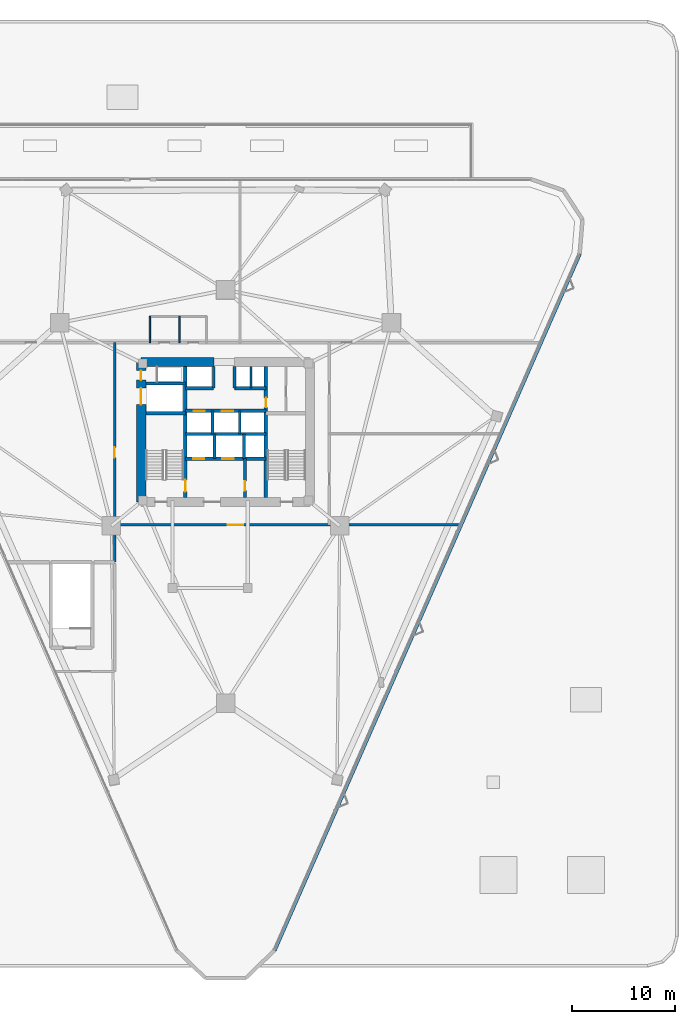
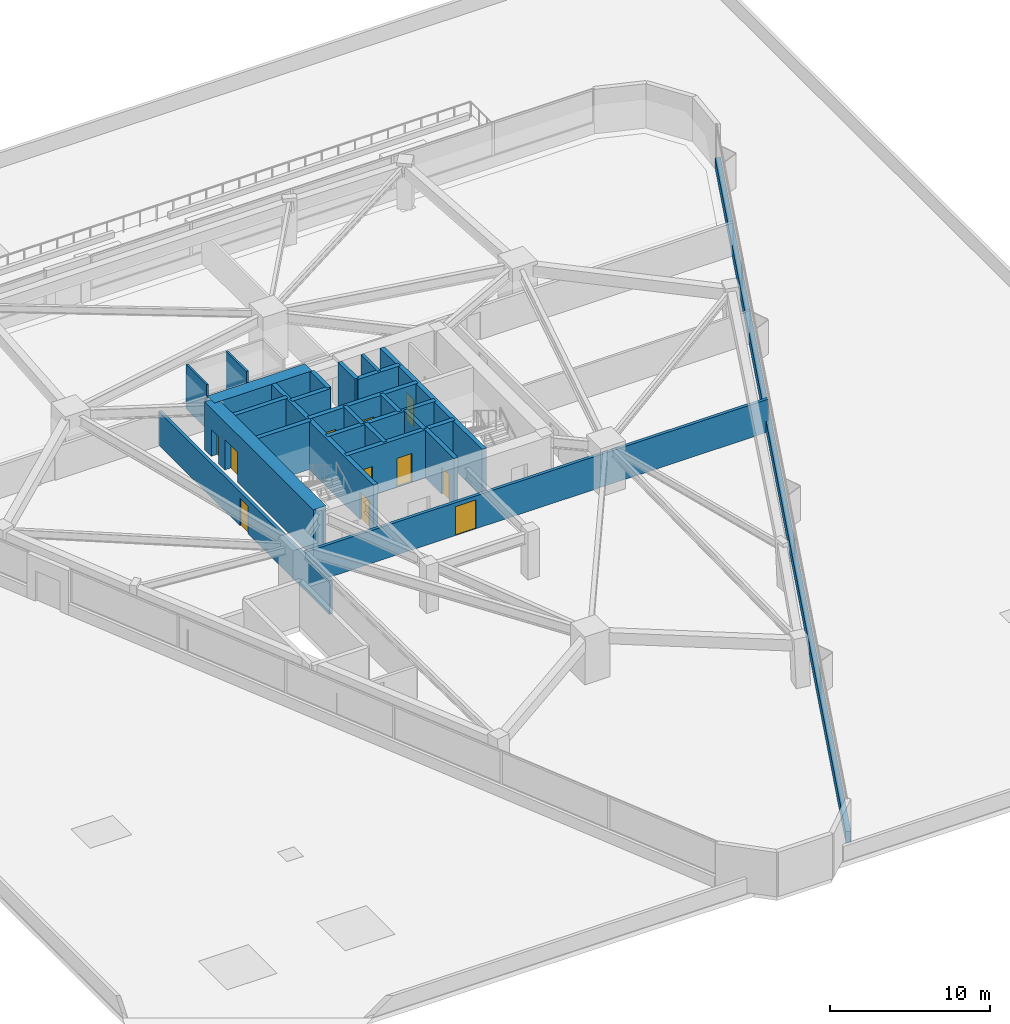
# One storey, part 17 of 21: 24 walls, 11 doors, 11 openings.
"""IFC4 building model written with IfcOpenShell, lengths in metres."""

from ifc_helpers import new_model, si_unit, direction, frame, frame_2d, origin, place, context, subcontext, project, spatial, rectangle, extrude, material, layer, layer_set, type_object, element, fill, save


model = new_model("IFC4")

# Units and contexts
model_context = context("Model", 3, precision=1e-05, world=origin(), true_north=direction((0.0, 1.0)))
body_context = subcontext(model_context, "Body", "Model", "MODEL_VIEW")
ifc_project = project(units=[si_unit("LENGTHUNIT", "METRE"), si_unit("AREAUNIT", "SQUARE_METRE"), si_unit("VOLUMEUNIT", "CUBIC_METRE"), si_unit("PLANEANGLEUNIT", "RADIAN"), si_unit("MASSUNIT", "GRAM", prefix="KILO")], contexts=[model_context])

# Site, building, storey
site_placement = place(None, origin())
site = spatial("IfcSite", under=ifc_project, at=site_placement, CompositionType="ELEMENT")
building_placement = place(site_placement, origin())
building = spatial("IfcBuilding", under=site, at=building_placement, Name="Talyreon Biosciences Tower", CompositionType="ELEMENT")
storey_placement = place(building_placement, frame((0.0, 0.0, 22.800048828125)))
storey = spatial("IfcBuildingStorey", under=building, at=storey_placement, Name="L05", CompositionType="ELEMENT", Elevation=22.800048828125)

# Walls
ifc_material_1 = material(Name="Concrete C50/60", Category="concrete")
ifc_layer_1 = layer(ifc_material_1, 0.219970703125)
ifc_layer_set_1 = layer_set([ifc_layer_1], Name="Concrete C50/60")
wall_type_1 = type_object("IfcWallType", Name="CoreShearWall_220", PredefinedType="SHEAR", material=ifc_layer_set_1)
wall_1_placement = place(storey_placement, frame((68.4599609375, 72.25, 0.0), z_axis=(0.0, 0.0, 1.0), x_axis=(0.0, 1.0, 0.0)))
element("IfcWall", 1, at=wall_1_placement, inside=storey, type_object=wall_type_1, Name="L05 Core Shaft Wall SWPHD", PredefinedType="SHEAR", context=body_context, shape_type="SweptSolid", body=[
    extrude(rectangle(XDim=2.10009765625, YDim=0.219970703125, at=frame_2d((1.050048828125, 0.0))), origin(), (0.0, 0.0, 1.0), 3.64990234375),
])
ifc_layer_2 = layer(ifc_material_1, 0.280029296875)
ifc_layer_set_2 = layer_set([ifc_layer_2], Name="Concrete C50/60")
wall_type_2 = type_object("IfcWallType", Name="CoreShearWall_280", PredefinedType="SHEAR", material=ifc_layer_set_2)
wall_2_placement = place(storey_placement, frame((64.919921875, 65.39990234375, 0.0), z_axis=(0.0, 0.0, 1.0), x_axis=(0.0, 1.0, 0.0)))
element("IfcWall", 2, at=wall_2_placement, inside=storey, type_object=wall_type_2, Name="L05 Core Shaft Wall SWSHD1", PredefinedType="SHEAR", context=body_context, shape_type="SweptSolid", body=[
    extrude(rectangle(XDim=2.400146484375, YDim=0.280029296875, at=frame_2d((1.2001953125, 0.0))), origin(), (0.0, 0.0, 1.0), 3.64990234375),
])
for number, where, z_axis, x_axis, name in (
    (3, (64.85009765625, 72.25, 0.0), (0.0, 0.0, 1.0), (0.0, 1.0, 0.0), "L05 Core Shaft Wall SWTHW"),
    (4, (66.85009765625, 72.25, 0.0), (0.0, 0.0, 1.0), (0.0, 1.0, 0.0), "L05 Core Shaft Wall SWTHE"),
):
    element("IfcWall", number, at=place(storey_placement, frame(where, z_axis=z_axis, x_axis=x_axis)), inside=storey, type_object=wall_type_2, Name=name, PredefinedType="SHEAR", context=body_context, shape_type="SweptSolid", body=[
        extrude(rectangle(XDim=2.10009765625, YDim=0.280029296875, at=frame_2d((1.050048828125, 0.0))), origin(), (0.0, 0.0, 1.0), 3.64990234375),
    ])

# Wall, opening, door
wall_3_placement = place(storey_placement, frame((67.8798828125, 61.64990234375, 0.0), z_axis=(0.0, 0.0, 1.0), x_axis=(0.0, 1.0, 0.0)))
wall_3 = element("IfcWall", 5, at=wall_3_placement, inside=storey, type_object=wall_type_2, Name="L05 Core Shaft Wall SWFFE", PredefinedType="SHEAR", context=body_context, shape_type="SweptSolid", body=[
    extrude(rectangle(XDim=3.75, YDim=0.280029296875, at=frame_2d((1.875, 0.0))), origin(), (0.0, 0.0, 1.0), 3.64990234375),
])
opening_1_placement = place(wall_3_placement, frame((0.64990234375, 0.0, 0.0)))
opening_1 = element("IfcOpeningElement", 6, at=opening_1_placement, cuts=wall_3, Name="Opening DR-L05-RSE", PredefinedType="OPENING", context=body_context, shape_type="SweptSolid", body=[
    extrude(rectangle(XDim=0.919921875, YDim=2.050048828125, at=frame_2d((0.4599609375, 1.02490234375))), frame((0.0, 0.14990234375, 0.0), z_axis=(0.0, -1.0, 0.0), x_axis=(1.0, 0.0, 0.0)), (0.0, 0.0, 1.0), 0.300048828125),
])
ifc_material_2 = material(Name="Painted steel fire-rated riser door", Category="steel")
door_type_1 = type_object("IfcDoorType", Name="RiserPlantAccessDoor_920x2050", OperationType="NOTDEFINED", PredefinedType="DOOR", material=ifc_material_2)
door_1_placement = place(opening_1_placement, origin())
door_1 = element("IfcDoor", 7, at=door_1_placement, inside=storey, type_object=door_type_1, Name="L05 Core Door DR-L05-RSE", OperationType="SINGLE_SWING_RIGHT", OverallHeight=2.050048828125, OverallWidth=0.919921875, PredefinedType="DOOR", context=body_context, shape_type="SweptSolid", body=[
    extrude(rectangle(XDim=0.919921875, YDim=2.050048828125, at=frame_2d((0.4599609375, 1.02490234375))), frame((0.0, 0.02490234375, 0.0), z_axis=(0.0, -1.0, 0.0), x_axis=(1.0, 0.0, 0.0)), (0.0, 0.0, 1.0), 0.050048828125),
])
fill(opening_1, door_1)

# Walls
wall_4_placement = place(storey_placement, frame((67.780029296875, 65.39990234375, 0.0), z_axis=(0.0, 0.0, 1.0), x_axis=(0.0, 1.0, 0.0)))
element("IfcWall", 8, at=wall_4_placement, inside=storey, type_object=wall_type_2, Name="L05 Core Shaft Wall SWSHD2", PredefinedType="SHEAR", context=body_context, shape_type="SweptSolid", body=[
    extrude(rectangle(XDim=2.400146484375, YDim=0.280029296875, at=frame_2d((1.2001953125, 0.0))), origin(), (0.0, 0.0, 1.0), 3.64990234375),
])
for number, where, z_axis, x_axis, name in (
    (9, (64.719970703125, 67.800048828125, 0.0), (0.0, 0.0, 1.0), (0.0, 1.0, 0.0), "L05 Core Shaft Wall SWPLD"),
    (10, (67.3798828125, 67.800048828125, 0.0), (0.0, 0.0, 1.0), (0.0, 1.0, 0.0), "L05 Core Shaft Wall SWPMD"),
):
    element("IfcWall", number, at=place(storey_placement, frame(where, z_axis=z_axis, x_axis=x_axis)), inside=storey, type_object=wall_type_2, Name=name, PredefinedType="SHEAR", context=body_context, shape_type="SweptSolid", body=[
        extrude(rectangle(XDim=2.25, YDim=0.280029296875, at=frame_2d((1.125, 0.0))), origin(), (0.0, 0.0, 1.0), 3.64990234375),
    ])

# Wall, opening, door
ifc_layer_3 = layer(ifc_material_1, 0.320068359375)
ifc_layer_set_3 = layer_set([ifc_layer_3], Name="Concrete C50/60")
wall_type_3 = type_object("IfcWallType", Name="CoreShearWall_320", PredefinedType="SHEAR", material=ifc_layer_set_3)
wall_5_placement = place(storey_placement, frame((62.090087890625, 61.64990234375, 0.0), z_axis=(0.0, 0.0, 1.0), x_axis=(0.0, 1.0, 0.0)))
wall_5 = element("IfcWall", 11, at=wall_5_placement, inside=storey, type_object=wall_type_3, Name="L05 Core Shaft Wall SW1E", PredefinedType="SHEAR", context=body_context, shape_type="SweptSolid", body=[
    extrude(rectangle(XDim=12.7001953125, YDim=0.320068359375, at=frame_2d((6.35009765625, 0.0))), origin(), (0.0, 0.0, 1.0), 3.64990234375),
])
opening_2_placement = place(wall_5_placement, frame((0.550048828125, 0.0, 0.0)))
opening_2 = element("IfcOpeningElement", 12, at=opening_2_placement, cuts=wall_5, Name="Opening DR-L05-FF-ST1", PredefinedType="OPENING", context=body_context, shape_type="SweptSolid", body=[
    extrude(rectangle(XDim=1.14990234375, YDim=2.14990234375, at=frame_2d((0.574951171875, 1.074951171875))), frame((0.0, 0.169921875, 0.0), z_axis=(0.0, -1.0, 0.0), x_axis=(1.0, 0.0, 0.0)), (0.0, 0.0, 1.0), 0.340087890625),
])
ifc_material_3 = material(Name="Painted steel fire door", Category="steel")
door_type_2 = type_object("IfcDoorType", Name="StairShaftFireDoor_1150x2150", OperationType="NOTDEFINED", PredefinedType="DOOR", material=ifc_material_3)
door_2_placement = place(opening_2_placement, origin())
door_2 = element("IfcDoor", 13, at=door_2_placement, inside=storey, type_object=door_type_2, Name="L05 Core Door DR-L05-FF-ST1", OperationType="SINGLE_SWING_LEFT", OverallHeight=2.14990234375, OverallWidth=1.14990234375, PredefinedType="DOOR", context=body_context, shape_type="SweptSolid", body=[
    extrude(rectangle(XDim=1.14990234375, YDim=2.14990234375, at=frame_2d((0.574951171875, 1.074951171875))), frame((0.0, 0.02490234375, 0.0), z_axis=(0.0, -1.0, 0.0), x_axis=(1.0, 0.0, 0.0)), (0.0, 0.0, 1.0), 0.050048828125),
])
fill(opening_2, door_2)

wall_6_placement = place(storey_placement, frame((69.909912109375, 61.64990234375, 0.0), z_axis=(0.0, 0.0, 1.0), x_axis=(0.0, 1.0, 0.0)))
wall_6 = element("IfcWall", 14, at=wall_6_placement, inside=storey, type_object=wall_type_3, Name="L05 Core Shaft Wall SW2W", PredefinedType="SHEAR", context=body_context, shape_type="SweptSolid", body=[
    extrude(rectangle(XDim=12.7001953125, YDim=0.320068359375, at=frame_2d((6.35009765625, 0.0))), origin(), (0.0, 0.0, 1.0), 3.64990234375),
])
opening_3_placement = place(wall_6_placement, frame((8.75, 0.0, 0.0)))
opening_3 = element("IfcOpeningElement", 15, at=opening_3_placement, cuts=wall_6, Name="Opening DR-L05-CSRV", PredefinedType="OPENING", context=body_context, shape_type="SweptSolid", body=[
    extrude(rectangle(XDim=0.919921875, YDim=2.050048828125, at=frame_2d((0.4599609375, 1.02490234375))), frame((0.0, 0.169921875, 0.0), z_axis=(0.0, -1.0, 0.0), x_axis=(1.0, 0.0, 0.0)), (0.0, 0.0, 1.0), 0.340087890625),
])
door_3_placement = place(opening_3_placement, origin())
door_3 = element("IfcDoor", 16, at=door_3_placement, inside=storey, type_object=door_type_1, Name="L05 Core Door DR-L05-CSRV", OperationType="SINGLE_SWING_RIGHT", OverallHeight=2.050048828125, OverallWidth=0.919921875, PredefinedType="DOOR", context=body_context, shape_type="SweptSolid", body=[
    extrude(rectangle(XDim=0.919921875, YDim=2.050048828125, at=frame_2d((0.4599609375, 1.02490234375))), frame((0.0, 0.02490234375, 0.0), z_axis=(0.0, -1.0, 0.0), x_axis=(1.0, 0.0, 0.0)), (0.0, 0.0, 1.0), 0.050048828125),
])
fill(opening_3, door_3)

# Walls
for number, where, z_axis, x_axis, name in (
    (17, (58.25, 69.81005859375, 0.0), (0.0, 0.0, 1.0), (1.0, 0.0, 0.0), "L05 Core Shaft Wall SW1N"),
    (18, (58.25, 72.699951171875, 0.0), (0.0, 0.0, 1.0), (1.0, 0.0, 0.0), "L05 Core Shaft Wall SWGLN"),
):
    element("IfcWall", number, at=place(storey_placement, frame(where, z_axis=z_axis, x_axis=x_axis)), inside=storey, type_object=wall_type_3, Name=name, PredefinedType="SHEAR", context=body_context, shape_type="SweptSolid", body=[
        extrude(rectangle(XDim=3.840087890625, YDim=0.320068359375, at=frame_2d((1.919921875, 0.0))), origin(), (0.0, 0.0, 1.0), 3.64990234375),
    ])
wall_7_placement = place(storey_placement, frame((62.090087890625, 67.800048828125, 0.0), z_axis=(0.0, 0.0, 1.0), x_axis=(1.0, 0.0, 0.0)))
element("IfcWall", 19, at=wall_7_placement, inside=storey, type_object=wall_type_3, Name="L05 Core Shaft Wall SWSHM", PredefinedType="SHEAR", context=body_context, shape_type="SweptSolid", body=[
    extrude(rectangle(XDim=7.81982421875, YDim=0.320068359375, at=frame_2d((3.909912109375, 0.0))), origin(), (0.0, 0.0, 1.0), 3.64990234375),
])

# Wall, openings, doors
wall_8_placement = place(storey_placement, frame((62.090087890625, 70.050048828125, 0.0), z_axis=(0.0, 0.0, 1.0), x_axis=(1.0, 0.0, 0.0)))
wall_8 = element("IfcWall", 20, at=wall_8_placement, inside=storey, type_object=wall_type_3, Name="L05 Core Shaft Wall SWSPN", PredefinedType="SHEAR", context=body_context, shape_type="SweptSolid", body=[
    extrude(rectangle(XDim=7.81982421875, YDim=0.320068359375, at=frame_2d((3.909912109375, 0.0))), origin(), (0.0, 0.0, 1.0), 3.64990234375),
])
opening_4_placement = place(wall_8_placement, frame((0.800048828125, 0.0, 0.0)))
opening_4 = element("IfcOpeningElement", 21, at=opening_4_placement, cuts=wall_8, Name="Opening LD-L05-PL1", PredefinedType="OPENING", context=body_context, shape_type="SweptSolid", body=[
    extrude(rectangle(XDim=1.10009765625, YDim=2.199951171875, at=frame_2d((0.550048828125, 1.10009765625))), frame((0.0, 0.169921875, 0.0), z_axis=(0.0, -1.0, 0.0), x_axis=(1.0, 0.0, 0.0)), (0.0, 0.0, 1.0), 0.340087890625),
])
opening_5_placement = place(wall_8_placement, frame((3.550048828125, 0.0, 0.0)))
opening_5 = element("IfcOpeningElement", 22, at=opening_5_placement, cuts=wall_8, Name="Opening LD-L05-PL2", PredefinedType="OPENING", context=body_context, shape_type="SweptSolid", body=[
    extrude(rectangle(XDim=1.10009765625, YDim=2.199951171875, at=frame_2d((0.550048828125, 1.10009765625))), frame((0.0, 0.169921875, 0.0), z_axis=(0.0, -1.0, 0.0), x_axis=(1.0, 0.0, 0.0)), (0.0, 0.0, 1.0), 0.340087890625),
])
ifc_material_4 = material(Name="Brushed stainless-steel lift landing door", Category="steel")
door_type_3 = type_object("IfcDoorType", Name="LiftSlidingLandingDoor_1100x2200", OperationType="SLIDING_TO_LEFT", PredefinedType="DOOR", material=ifc_material_4)
door_4_placement = place(opening_4_placement, origin())
door_4 = element("IfcDoor", 23, at=door_4_placement, inside=storey, type_object=door_type_3, Name="L05 Core Door LD-L05-PL1", OperationType="SLIDING_TO_LEFT", OverallHeight=2.199951171875, OverallWidth=1.10009765625, PredefinedType="DOOR", context=body_context, shape_type="SweptSolid", body=[
    extrude(rectangle(XDim=1.10009765625, YDim=2.199951171875, at=frame_2d((0.550048828125, 1.10009765625))), frame((0.0, 0.02490234375, 0.0), z_axis=(0.0, -1.0, 0.0), x_axis=(1.0, 0.0, 0.0)), (0.0, 0.0, 1.0), 0.050048828125),
])
fill(opening_4, door_4)
door_5_placement = place(opening_5_placement, origin())
door_5 = element("IfcDoor", 24, at=door_5_placement, inside=storey, type_object=door_type_3, Name="L05 Core Door LD-L05-PL2", OperationType="SLIDING_TO_LEFT", OverallHeight=2.199951171875, OverallWidth=1.10009765625, PredefinedType="DOOR", context=body_context, shape_type="SweptSolid", body=[
    extrude(rectangle(XDim=1.10009765625, YDim=2.199951171875, at=frame_2d((0.550048828125, 1.10009765625))), frame((0.0, 0.02490234375, 0.0), z_axis=(0.0, -1.0, 0.0), x_axis=(1.0, 0.0, 0.0)), (0.0, 0.0, 1.0), 0.050048828125),
])
fill(opening_5, door_5)

# Walls
wall_9_placement = place(storey_placement, frame((62.090087890625, 72.25, 0.0), z_axis=(0.0, 0.0, 1.0), x_axis=(1.0, 0.0, 0.0)))
element("IfcWall", 25, at=wall_9_placement, inside=storey, type_object=wall_type_3, Name="L05 Core Shaft Wall SWNPW", PredefinedType="SHEAR", context=body_context, shape_type="SweptSolid", body=[
    extrude(rectangle(XDim=2.760009765625, YDim=0.320068359375, at=frame_2d((1.3798828125, 0.0))), origin(), (0.0, 0.0, 1.0), 3.64990234375),
])
wall_10_placement = place(storey_placement, frame((66.85009765625, 72.25, 0.0), z_axis=(0.0, 0.0, 1.0), x_axis=(1.0, 0.0, 0.0)))
element("IfcWall", 26, at=wall_10_placement, inside=storey, type_object=wall_type_3, Name="L05 Core Shaft Wall SWNPE", PredefinedType="SHEAR", context=body_context, shape_type="SweptSolid", body=[
    extrude(rectangle(XDim=3.059814453125, YDim=0.320068359375, at=frame_2d((1.52978515625, 0.0))), origin(), (0.0, 0.0, 1.0), 3.64990234375),
])

# Wall, openings, doors
wall_11_placement = place(storey_placement, frame((62.090087890625, 65.39990234375, 0.0), z_axis=(0.0, 0.0, 1.0), x_axis=(1.0, 0.0, 0.0)))
wall_11 = element("IfcWall", 27, at=wall_11_placement, inside=storey, type_object=wall_type_3, Name="L05 Core Shaft Wall SWFFN", PredefinedType="SHEAR", context=body_context, shape_type="SweptSolid", body=[
    extrude(rectangle(XDim=7.81982421875, YDim=0.320068359375, at=frame_2d((3.909912109375, 0.0))), origin(), (0.0, 0.0, 1.0), 3.64990234375),
])
opening_6_placement = place(wall_11_placement, frame((0.75, 0.0, 0.0)))
opening_6 = element("IfcOpeningElement", 28, at=opening_6_placement, cuts=wall_11, Name="Opening LD-L05-FL1", PredefinedType="OPENING", context=body_context, shape_type="SweptSolid", body=[
    extrude(rectangle(XDim=1.10009765625, YDim=2.199951171875, at=frame_2d((0.550048828125, 1.10009765625))), frame((0.0, 0.169921875, 0.0), z_axis=(0.0, -1.0, 0.0), x_axis=(1.0, 0.0, 0.0)), (0.0, 0.0, 1.0), 0.340087890625),
])
opening_7_placement = place(wall_11_placement, frame((3.60009765625, 0.0, 0.0)))
opening_7 = element("IfcOpeningElement", 29, at=opening_7_placement, cuts=wall_11, Name="Opening LD-L05-FL2", PredefinedType="OPENING", context=body_context, shape_type="SweptSolid", body=[
    extrude(rectangle(XDim=1.10009765625, YDim=2.199951171875, at=frame_2d((0.550048828125, 1.10009765625))), frame((0.0, 0.169921875, 0.0), z_axis=(0.0, -1.0, 0.0), x_axis=(1.0, 0.0, 0.0)), (0.0, 0.0, 1.0), 0.340087890625),
])
door_6_placement = place(opening_6_placement, origin())
door_6 = element("IfcDoor", 30, at=door_6_placement, inside=storey, type_object=door_type_3, Name="L05 Core Door LD-L05-FL1", OperationType="SLIDING_TO_LEFT", OverallHeight=2.199951171875, OverallWidth=1.10009765625, PredefinedType="DOOR", context=body_context, shape_type="SweptSolid", body=[
    extrude(rectangle(XDim=1.10009765625, YDim=2.199951171875, at=frame_2d((0.550048828125, 1.10009765625))), frame((0.0, 0.02490234375, 0.0), z_axis=(0.0, -1.0, 0.0), x_axis=(1.0, 0.0, 0.0)), (0.0, 0.0, 1.0), 0.050048828125),
])
fill(opening_6, door_6)
door_7_placement = place(opening_7_placement, origin())
door_7 = element("IfcDoor", 31, at=door_7_placement, inside=storey, type_object=door_type_3, Name="L05 Core Door LD-L05-FL2", OperationType="SLIDING_TO_LEFT", OverallHeight=2.199951171875, OverallWidth=1.10009765625, PredefinedType="DOOR", context=body_context, shape_type="SweptSolid", body=[
    extrude(rectangle(XDim=1.10009765625, YDim=2.199951171875, at=frame_2d((0.550048828125, 1.10009765625))), frame((0.0, 0.02490234375, 0.0), z_axis=(0.0, -1.0, 0.0), x_axis=(1.0, 0.0, 0.0)), (0.0, 0.0, 1.0), 0.050048828125),
])
fill(opening_7, door_7)

# Wall
ifc_material_5 = material(Name="Concrete C60/75", Category="concrete")
ifc_layer_4 = layer(ifc_material_5, 0.89990234375)
ifc_layer_set_4 = layer_set([ifc_layer_4], Name="Concrete C60/75")
wall_type_4 = type_object("IfcWallType", Name="CoreShearWall_900", PredefinedType="SHEAR", material=ifc_layer_set_4)
wall_12_placement = place(storey_placement, frame((64.85009765625, 74.800048828125, 0.0), z_axis=(0.0, 0.0, 1.0), x_axis=(-1.0, 0.0, 0.0)))
element("IfcWall", 32, at=wall_12_placement, inside=storey, type_object=wall_type_4, Name="L05 Core Shear Wall NW", PredefinedType="SHEAR", context=body_context, shape_type="SweptSolid", body=[
    extrude(rectangle(XDim=7.050048828125, YDim=0.89990234375, at=frame_2d((3.52490234375, 0.0))), origin(), (0.0, 0.0, 1.0), 3.64990234375),
])

# Wall, openings, doors
wall_13_placement = place(storey_placement, frame((57.800048828125, 74.800048828125, 0.0), z_axis=(0.0, 0.0, 1.0), x_axis=(0.0, -1.0, 0.0)))
wall_13 = element("IfcWall", 33, at=wall_13_placement, inside=storey, type_object=wall_type_4, Name="L05 Core Shear Wall W", PredefinedType="SHEAR", context=body_context, shape_type="SweptSolid", body=[
    extrude(rectangle(XDim=13.60009765625, YDim=0.89990234375, at=frame_2d((6.800048828125, 0.0))), origin(), (0.0, 0.0, 1.0), 3.64990234375),
])
opening_8_placement = place(wall_13_placement, frame((0.85009765625, 0.0, 0.0)))
opening_8 = element("IfcOpeningElement", 34, at=opening_8_placement, cuts=wall_13, Name="Opening DR-L05-RSW", PredefinedType="OPENING", context=body_context, shape_type="SweptSolid", body=[
    extrude(rectangle(XDim=0.919921875, YDim=2.050048828125, at=frame_2d((0.4599609375, 1.02490234375))), frame((0.0, 0.4599609375, 0.0), z_axis=(0.0, -1.0, 0.0), x_axis=(1.0, 0.0, 0.0)), (0.0, 0.0, 1.0), 0.919921875),
])
opening_9_placement = place(wall_13_placement, frame((2.550048828125, 0.0, 0.0)))
opening_9 = element("IfcOpeningElement", 35, at=opening_9_placement, cuts=wall_13, Name="Opening LD-L05-GL1", PredefinedType="OPENING", context=body_context, shape_type="SweptSolid", body=[
    extrude(rectangle(XDim=1.60009765625, YDim=2.300048828125, at=frame_2d((0.800048828125, 1.14990234375))), frame((0.0, 0.4599609375, 0.0), z_axis=(0.0, -1.0, 0.0), x_axis=(1.0, 0.0, 0.0)), (0.0, 0.0, 1.0), 0.919921875),
])
ifc_material_6 = material(Name="Heavy-duty stainless-steel goods lift door", Category="steel")
door_type_4 = type_object("IfcDoorType", Name="GoodsLiftSlidingDoor_1600x2300", OperationType="DOUBLE_DOOR_SLIDING", PredefinedType="DOOR", material=ifc_material_6)
door_8_placement = place(opening_9_placement, origin())
door_8 = element("IfcDoor", 36, at=door_8_placement, inside=storey, type_object=door_type_4, Name="L05 Core Door LD-L05-GL1", OperationType="DOUBLE_DOOR_SLIDING", OverallHeight=2.300048828125, OverallWidth=1.60009765625, PredefinedType="DOOR", context=body_context, shape_type="SweptSolid", body=[
    extrude(rectangle(XDim=1.60009765625, YDim=2.300048828125, at=frame_2d((0.800048828125, 1.14990234375))), frame((0.0, 0.02490234375, 0.0), z_axis=(0.0, -1.0, 0.0), x_axis=(1.0, 0.0, 0.0)), (0.0, 0.0, 1.0), 0.050048828125),
])
fill(opening_9, door_8)
door_9_placement = place(opening_8_placement, origin())
door_9 = element("IfcDoor", 37, at=door_9_placement, inside=storey, type_object=door_type_1, Name="L05 Core Door DR-L05-RSW", OperationType="SINGLE_SWING_LEFT", OverallHeight=2.050048828125, OverallWidth=0.919921875, PredefinedType="DOOR", context=body_context, shape_type="SweptSolid", body=[
    extrude(rectangle(XDim=0.919921875, YDim=2.050048828125, at=frame_2d((0.4599609375, 1.02490234375))), frame((0.0, 0.02490234375, 0.0), z_axis=(0.0, -1.0, 0.0), x_axis=(1.0, 0.0, 0.0)), (0.0, 0.0, 1.0), 0.050048828125),
])
fill(opening_8, door_9)

# Wall, opening, door
ifc_material_7 = material(Name="Gypsum fireboard acoustic stud", Category="gypsum")
ifc_layer_5 = layer(ifc_material_7, 0.219970703125)
ifc_layer_set_5 = layer_set([ifc_layer_5], Name="Gypsum fireboard acoustic stud")
wall_type_5 = type_object("IfcWallType", Name="CorridorRatedPartition_220", PredefinedType="PARTITIONING", material=ifc_layer_set_5)
wall_14_placement = place(storey_placement, frame((55.22998046875, 58.97998046875, 0.0), z_axis=(0.0, 0.0, 1.0), x_axis=(1.0, 0.0, 0.0)))
wall_14 = element("IfcWall", 38, at=wall_14_placement, inside=storey, type_object=wall_type_5, Name="L05 Interior Wall IW-L05-COR-S", PredefinedType="PARTITIONING", context=body_context, shape_type="SweptSolid", body=[
    extrude(rectangle(XDim=33.532958984375, YDim=0.219970703125, at=frame_2d((16.7666015625, 0.0))), origin(), (0.0, 0.0, 1.0), 2.5048828125),
])
opening_10_placement = place(wall_14_placement, frame((11.0, 0.0, 0.0)))
opening_10 = element("IfcOpeningElement", 39, at=opening_10_placement, cuts=wall_14, Name="Opening DR-L05-S1A", PredefinedType="OPENING", context=body_context, shape_type="SweptSolid", body=[
    extrude(rectangle(XDim=1.5, YDim=2.199951171875, at=frame_2d((0.75, 1.10009765625))), frame((0.0, 0.119873046875, 0.0), z_axis=(0.0, -1.0, 0.0), x_axis=(1.0, 0.0, 0.0)), (0.0, 0.0, 1.0), 0.239990234375),
])
ifc_material_8 = material(Name="Vision-panel steel laboratory fire door", Category="steel")
door_type_5 = type_object("IfcDoorType", Name="WetLabDoubleLeafDoor_1500x2200", OperationType="DOUBLE_DOOR_SINGLE_SWING", PredefinedType="DOOR", material=ifc_material_8)
door_10_placement = place(opening_10_placement, origin())
door_10 = element("IfcDoor", 40, at=door_10_placement, inside=storey, type_object=door_type_5, Name="L05 Interior Door DR-L05-S1A", OperationType="DOUBLE_DOOR_SINGLE_SWING", OverallHeight=2.199951171875, OverallWidth=1.5, PredefinedType="DOOR", context=body_context, shape_type="SweptSolid", body=[
    extrude(rectangle(XDim=1.5, YDim=2.199951171875, at=frame_2d((0.75, 1.10009765625))), frame((0.0, 0.02490234375, 0.0), z_axis=(0.0, -1.0, 0.0), x_axis=(1.0, 0.0, 0.0)), (0.0, 0.0, 1.0), 0.050048828125),
])
fill(opening_10, door_10)

wall_15_placement = place(storey_placement, frame((55.22998046875, 55.360107421875, 0.0), z_axis=(0.0, 0.0, 1.0), x_axis=(0.0, 1.0, 0.0)))
wall_15 = element("IfcWall", 41, at=wall_15_placement, inside=storey, type_object=wall_type_5, Name="L05 Interior Wall IW-L05-COR-W", PredefinedType="PARTITIONING", context=body_context, shape_type="SweptSolid", body=[
    extrude(rectangle(XDim=21.309814453125, YDim=0.219970703125, at=frame_2d((10.65478515625, 0.0))), origin(), (0.0, 0.0, 1.0), 2.554931640625),
])
opening_11_placement = place(wall_15_placement, frame((10.155029296875, 0.0, 0.0)))
opening_11 = element("IfcOpeningElement", 42, at=opening_11_placement, cuts=wall_15, Name="Opening DR-L05-W1A", PredefinedType="OPENING", context=body_context, shape_type="SweptSolid", body=[
    extrude(rectangle(XDim=1.0, YDim=2.10009765625, at=frame_2d((0.5, 1.050048828125))), frame((0.0, 0.119873046875, 0.0), z_axis=(0.0, -1.0, 0.0), x_axis=(1.0, 0.0, 0.0)), (0.0, 0.0, 1.0), 0.239990234375),
])
ifc_material_9 = material(Name="Acoustic oak veneer office door", Category="wood")
door_type_6 = type_object("IfcDoorType", Name="WriteupOfficeDoor_1000x2100", OperationType="NOTDEFINED", PredefinedType="DOOR", material=ifc_material_9)
door_11_placement = place(opening_11_placement, origin())
door_11 = element("IfcDoor", 43, at=door_11_placement, inside=storey, type_object=door_type_6, Name="L05 Interior Door DR-L05-W1A", OperationType="SINGLE_SWING_RIGHT", OverallHeight=2.10009765625, OverallWidth=1.0, PredefinedType="DOOR", context=body_context, shape_type="SweptSolid", body=[
    extrude(rectangle(XDim=1.0, YDim=2.10009765625, at=frame_2d((0.5, 1.050048828125))), frame((0.0, 0.02490234375, 0.0), z_axis=(0.0, -1.0, 0.0), x_axis=(1.0, 0.0, 0.0)), (0.0, 0.0, 1.0), 0.050048828125),
])
fill(opening_11, door_11)

# Walls
ifc_material_10 = material(Name="Precast concrete C45/55", Category="concrete")
ifc_layer_6 = layer(ifc_material_10, 0.340087890625)
ifc_layer_set_6 = layer_set([ifc_layer_6], Name="Precast concrete C45/55")
wall_type_6 = type_object("IfcWallType", Name="PrecastConcreteSpandrelWall_340", PredefinedType="STANDARD", material=ifc_layer_set_6)
wall_16_placement = place(storey_placement, frame((100.37451171875, 85.267333984375, 0.0), z_axis=(0.0, 0.0, 1.0), x_axis=(-0.401347685244, -0.91592578059, 0.0)))
element("IfcWall", 44, at=wall_16_placement, inside=storey, type_object=wall_type_6, Name="L05 Expressed Concrete Sill Wall 08", PredefinedType="STANDARD", context=body_context, shape_type="SweptSolid", body=[
    extrude(rectangle(XDim=73.781005859375, YDim=0.340087890625, at=frame_2d((36.890625, 0.0))), origin(), (0.0, 0.0, 1.0), 0.849853515625),
])
ifc_material_11 = material(Name="Moisture-resistant cement-board stud", Category="gypsum")
ifc_layer_7 = layer(ifc_material_11, 0.14501953125)
ifc_layer_set_7 = layer_set([ifc_layer_7], Name="Moisture-resistant cement-board stud")
wall_type_7 = type_object("IfcWallType", Name="WetRoomPartition_145", PredefinedType="PARTITIONING", material=ifc_layer_set_7)
for number, where, z_axis, x_axis, name in (
    (45, (58.64990234375, 76.669921875, 0.0), (0.0, 0.0, 1.0), (0.0, 1.0, 0.0), "L05 Interior Wall IW-L05-WCL"),
    (46, (61.52490234375, 76.669921875, 0.0), (0.0, 0.0, 1.0), (0.0, 1.0, 0.0), "L05 Interior Wall IW-L05-WCM"),
):
    element("IfcWall", number, at=place(storey_placement, frame(where, z_axis=z_axis, x_axis=x_axis)), inside=storey, type_object=wall_type_7, Name=name, PredefinedType="PARTITIONING", context=body_context, shape_type="SweptSolid", body=[
        extrude(rectangle(XDim=2.550048828125, YDim=0.14501953125, at=frame_2d((1.27490234375, 0.0))), origin(), (0.0, 0.0, 1.0), 3.375),
    ])

save(model, "model.ifc")
